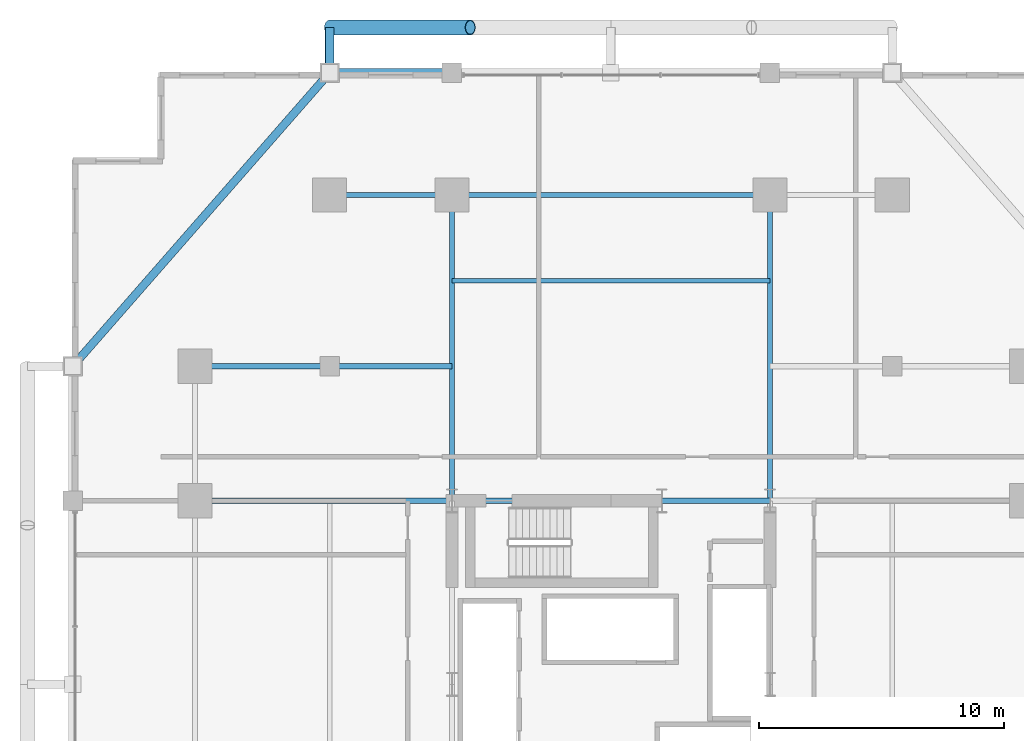
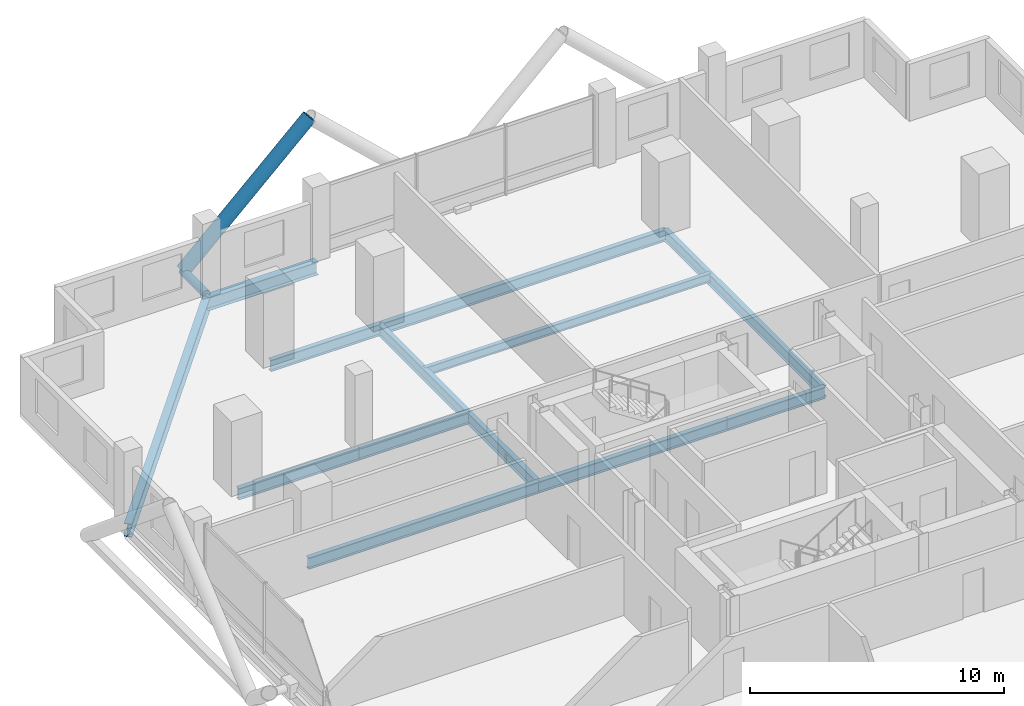
# One storey, part 14 of 26: 12 beams, 2 members.
"""IFC4 building model written with IfcOpenShell, lengths in metres."""

from ifc_helpers import new_model, si_unit, direction, frame, origin, origin_2d, place, context, subcontext, project, spatial, hollow_circle, i_section, extrude, material, material_profile, profile_set, type_object, element, save


model = new_model("IFC4")

# Units and contexts
model_context = context("Model", 3, precision=1e-05, world=origin(), true_north=direction((0.0, 1.0)))
body_context = subcontext(model_context, "Body", "Model", "MODEL_VIEW")
ifc_project = project(units=[si_unit("LENGTHUNIT", "METRE"), si_unit("AREAUNIT", "SQUARE_METRE"), si_unit("VOLUMEUNIT", "CUBIC_METRE"), si_unit("PLANEANGLEUNIT", "RADIAN"), si_unit("MASSUNIT", "GRAM", prefix="KILO")], contexts=[model_context])

# Site, building, storey
site_placement = place(None, origin())
site = spatial("IfcSite", under=ifc_project, at=site_placement, CompositionType="ELEMENT")
building_placement = place(site_placement, origin())
building = spatial("IfcBuilding", under=site, at=building_placement, Name="Barlavira Tower and Art Museum", CompositionType="ELEMENT")
storey_placement = place(building_placement, frame((0.0, 0.0, 82.800048828125)))
storey = spatial("IfcBuildingStorey", under=building, at=storey_placement, Name="L20", CompositionType="ELEMENT", Elevation=82.800048828125)

# Members
ifc_material = material(Name="Steel S355", Category="steel")
ifc_material_profile_1 = material_profile(ifc_material, hollow_circle(Radius=0.304931640625, WallThickness=0.028076171875, at=origin_2d()), Name="CHS 610.0x28.0")
ifc_profile_set_1 = profile_set([ifc_material_profile_1], Name="Steel S355")
member_type_1 = type_object("IfcMemberType", Name="Pale-Metal Exoskeleton Diagrid Tube CHS 610x28 Steel S355", PredefinedType="BRACE", material=ifc_profile_set_1)
member_1_placement = place(storey_placement, frame((-11.5, 26.85009765625, -0.1201171875), z_axis=(0.728934650808, 0.0, 0.684583285548), x_axis=(0.0, 1.0, 0.0)))
element("IfcMember", 1, at=member_1_placement, inside=storey, type_object=member_type_1, Name="L20 Exoskeleton Diagrid Tube N", PredefinedType="BRACE", context=body_context, shape_type="SweptSolid", body=[
    extrude(hollow_circle(Radius=0.304931640625, WallThickness=0.028076171875, at=origin_2d()), origin(), (0.0, 0.0, 1.0), 7.88818359375),
])
ifc_material_profile_2 = material_profile(ifc_material, hollow_circle(Radius=0.177734375, WallThickness=0.01611328125, at=origin_2d()), Name="CHS 355.6x16.0")
ifc_profile_set_2 = profile_set([ifc_material_profile_2], Name="Steel S355")
member_type_2 = type_object("IfcMemberType", Name="Pale-Metal Exoskeleton Tie Strut CHS 356x16 Steel S355", PredefinedType="STRUT", material=ifc_profile_set_2)
member_2_placement = place(storey_placement, frame((-11.5, 26.85009765625, -0.1201171875), z_axis=(0.0, -1.0, 0.0), x_axis=(1.0, 0.0, 0.0)))
element("IfcMember", 2, at=member_2_placement, inside=storey, type_object=member_type_2, Name="L20 Exoskeleton Tie Strut N1", PredefinedType="STRUT", context=body_context, shape_type="SweptSolid", body=[
    extrude(hollow_circle(Radius=0.177734375, WallThickness=0.01611328125, at=origin_2d()), origin(), (0.0, 0.0, 1.0), 1.85009765625),
])

# Beams
ifc_material_profile_3 = material_profile(ifc_material, i_section(OverallWidth=0.327880859375, OverallDepth=0.62890625, WebThickness=0.013916015625, FlangeThickness=0.021484375, at=origin_2d()), Name="W610x174.0")
ifc_profile_set_3 = profile_set([ifc_material_profile_3], Name="Steel S355")
beam_type_1 = type_object("IfcBeamType", Name="Perimeter Spandrel Edge Beam W610x174 Steel S355", PredefinedType="SPANDREL", material=ifc_profile_set_3)
beam_1_placement = place(storey_placement, frame((-11.5, 25.0, -0.53466796875), z_axis=(1.0, 0.0, 0.0), x_axis=(0.0, 1.0, 0.0)))
element("IfcBeam", 3, at=beam_1_placement, inside=storey, type_object=beam_type_1, Name="L20 Spandrel 11", PredefinedType="SPANDREL", context=body_context, shape_type="SweptSolid", body=[
    extrude(i_section(OverallWidth=0.327880859375, OverallDepth=0.62890625, WebThickness=0.013916015625, FlangeThickness=0.021484375, at=origin_2d()), origin(), (0.0, 0.0, 1.0), 5.0),
])
beam_2_placement = place(storey_placement, frame((-11.5, 25.0, -0.53466796875), z_axis=(-0.658504607869, -0.752576694707, 0.0), x_axis=(0.752576694707, -0.658504607869, 0.0)))
element("IfcBeam", 4, at=beam_2_placement, inside=storey, type_object=beam_type_1, Name="L20 Spandrel 12", PredefinedType="SPANDREL", context=body_context, shape_type="SweptSolid", body=[
    extrude(i_section(OverallWidth=0.327880859375, OverallDepth=0.62890625, WebThickness=0.013916015625, FlangeThickness=0.021484375, at=origin_2d()), origin(), (0.0, 0.0, 1.0), 15.9453125),
])
ifc_material_profile_4 = material_profile(ifc_material, i_section(OverallWidth=0.180908203125, OverallDepth=0.4169921875, WebThickness=0.010986328125, FlangeThickness=0.018310546875, at=origin_2d()), Name="W410x85.0")
ifc_profile_set_4 = profile_set([ifc_material_profile_4], Name="Steel S355")
beam_type_2 = type_object("IfcBeamType", Name="Zone 1 Composite Floor Joist W410x85 Steel S355", PredefinedType="JOIST", material=ifc_profile_set_4)
beam_3_placement = place(storey_placement, frame((-6.5, 16.5, -0.428466796875), z_axis=(1.0, 0.0, 0.0), x_axis=(0.0, 1.0, 0.0)))
element("IfcBeam", 5, at=beam_3_placement, inside=storey, type_object=beam_type_2, Name="L20 Joist C2", PredefinedType="JOIST", context=body_context, shape_type="SweptSolid", body=[
    extrude(i_section(OverallWidth=0.180908203125, OverallDepth=0.4169921875, WebThickness=0.010986328125, FlangeThickness=0.018310546875, at=origin_2d()), origin(), (0.0, 0.0, 1.0), 13.0),
])
ifc_material_profile_5 = material_profile(ifc_material, i_section(OverallWidth=0.214111328125, OverallDepth=0.549072265625, WebThickness=0.0146484375, FlangeThickness=0.023681640625, at=origin_2d()), Name="W530x138.0")
ifc_profile_set_5 = profile_set([ifc_material_profile_5], Name="Steel S355")
beam_type_3 = type_object("IfcBeamType", Name="Zone 1 Primary Floor Girder W530x138 Steel S355", PredefinedType="BEAM", material=ifc_profile_set_5)
beam_4_placement = place(storey_placement, frame((-6.5, 7.5, -0.49462890625), z_axis=(1.0, 0.0, 0.0), x_axis=(0.0, 1.0, 0.0)))
element("IfcBeam", 6, at=beam_4_placement, inside=storey, type_object=beam_type_3, Name="L20 Girder C-N1", PredefinedType="BEAM", context=body_context, shape_type="SweptSolid", body=[
    extrude(i_section(OverallWidth=0.214111328125, OverallDepth=0.549072265625, WebThickness=0.0146484375, FlangeThickness=0.023681640625, at=origin_2d()), origin(), (0.0, 0.0, 1.0), 8.580078125),
])
beam_5_placement = place(storey_placement, frame((2.080078125, 7.5, -0.49462890625), z_axis=(1.0, 0.0, 0.0), x_axis=(0.0, 1.0, 0.0)))
element("IfcBeam", 7, at=beam_5_placement, inside=storey, type_object=beam_type_3, Name="L20 Girder C-N2", PredefinedType="BEAM", context=body_context, shape_type="SweptSolid", body=[
    extrude(i_section(OverallWidth=0.214111328125, OverallDepth=0.549072265625, WebThickness=0.0146484375, FlangeThickness=0.023681640625, at=origin_2d()), origin(), (0.0, 0.0, 1.0), 4.419921875),
])
beam_6_placement = place(storey_placement, frame((-11.5, 20.0, -0.49462890625), z_axis=(1.0, 0.0, 0.0), x_axis=(0.0, 1.0, 0.0)))
element("IfcBeam", 8, at=beam_6_placement, inside=storey, type_object=beam_type_3, Name="L20 Girder M-N1", PredefinedType="BEAM", context=body_context, shape_type="SweptSolid", body=[
    extrude(i_section(OverallWidth=0.214111328125, OverallDepth=0.549072265625, WebThickness=0.0146484375, FlangeThickness=0.023681640625, at=origin_2d()), origin(), (0.0, 0.0, 1.0), 5.0),
])
beam_7_placement = place(storey_placement, frame((-6.5, 20.0, -0.49462890625), z_axis=(1.0, 0.0, 0.0), x_axis=(0.0, 1.0, 0.0)))
element("IfcBeam", 9, at=beam_7_placement, inside=storey, type_object=beam_type_3, Name="L20 Girder M-N2", PredefinedType="BEAM", context=body_context, shape_type="SweptSolid", body=[
    extrude(i_section(OverallWidth=0.214111328125, OverallDepth=0.549072265625, WebThickness=0.0146484375, FlangeThickness=0.023681640625, at=origin_2d()), origin(), (0.0, 0.0, 1.0), 13.0),
])
for number, where, z_axis, x_axis, name in (
    (10, (-6.5, 7.5, -0.49462890625), (0.0, 1.0, 0.0), (-1.0, 0.0, 0.0), "L20 Girder R-N1"),
    (11, (6.5, 7.5, -0.49462890625), (0.0, 1.0, 0.0), (-1.0, 0.0, 0.0), "L20 Girder R-N2"),
):
    element("IfcBeam", number, at=place(storey_placement, frame(where, z_axis=z_axis, x_axis=x_axis)), inside=storey, type_object=beam_type_3, Name=name, PredefinedType="BEAM", context=body_context, shape_type="SweptSolid", body=[
        extrude(i_section(OverallWidth=0.214111328125, OverallDepth=0.549072265625, WebThickness=0.0146484375, FlangeThickness=0.023681640625, at=origin_2d()), origin(), (0.0, 0.0, 1.0), 12.5),
    ])
beam_8_placement = place(storey_placement, frame((-17.0, 7.5, -0.49462890625), z_axis=(1.0, 0.0, 0.0), x_axis=(0.0, 1.0, 0.0)))
element("IfcBeam", 12, at=beam_8_placement, inside=storey, type_object=beam_type_3, Name="L20 Girder R-W2", PredefinedType="BEAM", context=body_context, shape_type="SweptSolid", body=[
    extrude(i_section(OverallWidth=0.214111328125, OverallDepth=0.549072265625, WebThickness=0.0146484375, FlangeThickness=0.023681640625, at=origin_2d()), origin(), (0.0, 0.0, 1.0), 10.5),
])
beam_9_placement = place(storey_placement, frame((-17.0, 13.0, -0.49462890625), z_axis=(1.0, 0.0, 0.0), x_axis=(0.0, 1.0, 0.0)))
element("IfcBeam", 13, at=beam_9_placement, inside=storey, type_object=beam_type_3, Name="L20 Girder I-N1", PredefinedType="BEAM", context=body_context, shape_type="SweptSolid", body=[
    extrude(i_section(OverallWidth=0.214111328125, OverallDepth=0.549072265625, WebThickness=0.0146484375, FlangeThickness=0.023681640625, at=origin_2d()), origin(), (0.0, 0.0, 1.0), 5.5),
])
beam_10_placement = place(storey_placement, frame((-11.5, 13.0, -0.49462890625), z_axis=(1.0, 0.0, 0.0), x_axis=(0.0, 1.0, 0.0)))
element("IfcBeam", 14, at=beam_10_placement, inside=storey, type_object=beam_type_3, Name="L20 Girder I-N2", PredefinedType="BEAM", context=body_context, shape_type="SweptSolid", body=[
    extrude(i_section(OverallWidth=0.214111328125, OverallDepth=0.549072265625, WebThickness=0.0146484375, FlangeThickness=0.023681640625, at=origin_2d()), origin(), (0.0, 0.0, 1.0), 5.0),
])

save(model, "model.ifc")
